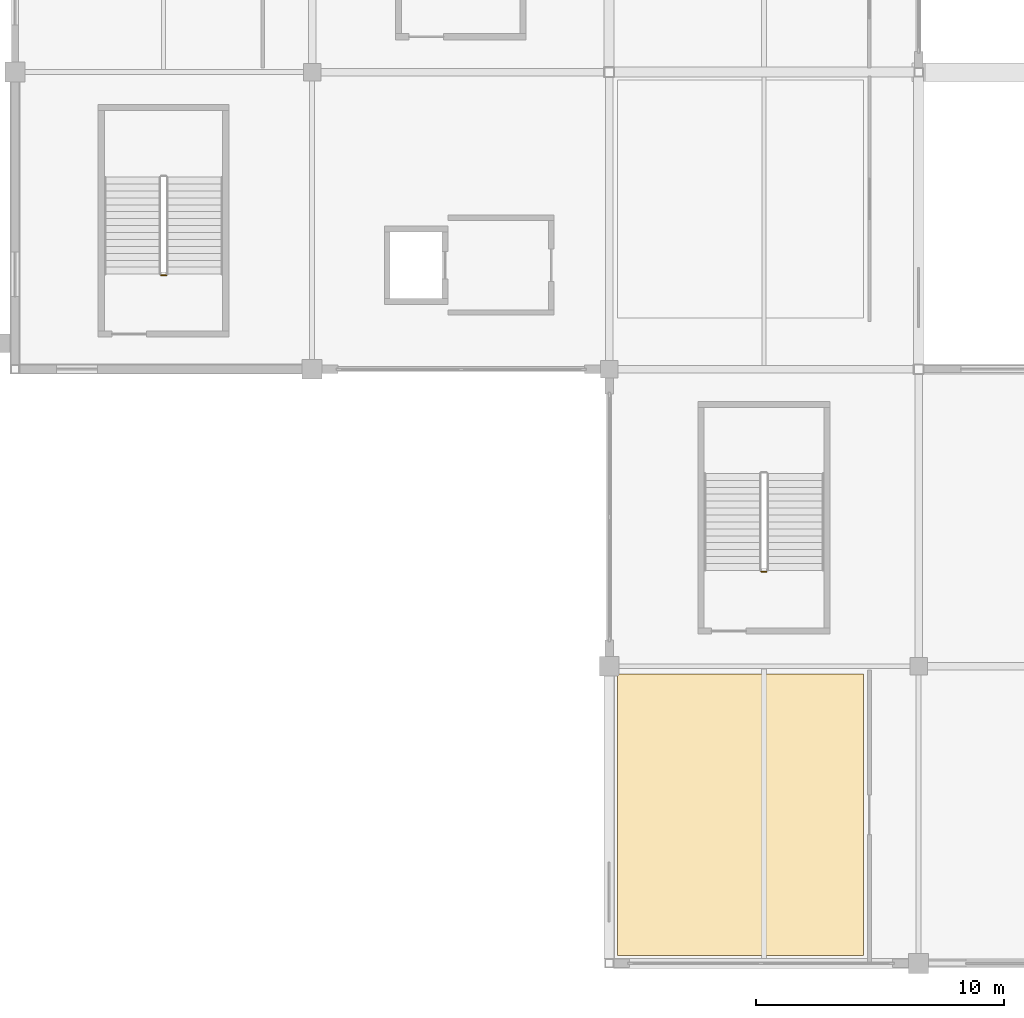
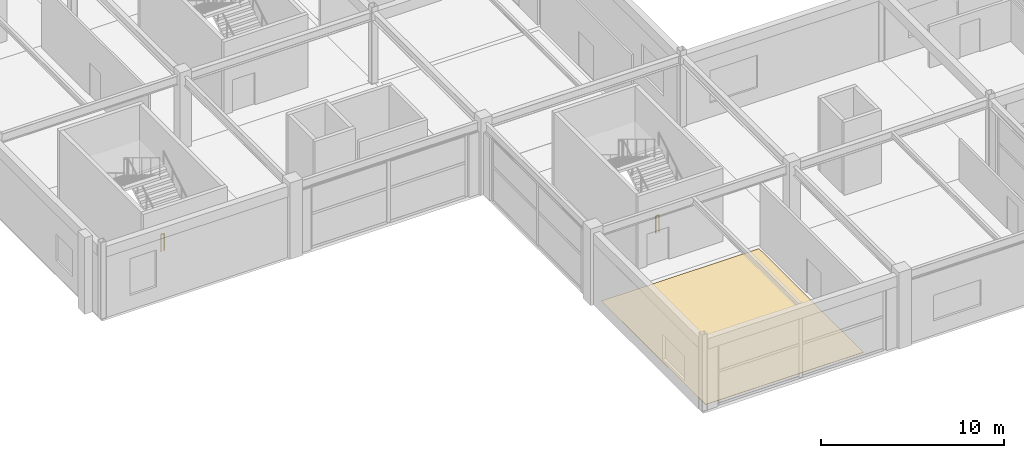
# One storey, part 103 of 128: 2 railings, 1 covering.
"""IFC4 building model written with IfcOpenShell, lengths in metres."""

from ifc_helpers import new_model, si_unit, direction, frame, origin, origin_2d, place, context, subcontext, project, spatial, polyline, circle, outline, extrude, material, layer, layer_set, type_object, element, save


model = new_model("IFC4")

# Units and contexts
model_context = context("Model", 3, precision=1e-05, world=origin(), true_north=direction((0.0, 1.0)))
body_context = subcontext(model_context, "Body", "Model", "MODEL_VIEW")
ifc_project = project(units=[si_unit("LENGTHUNIT", "METRE"), si_unit("AREAUNIT", "SQUARE_METRE"), si_unit("VOLUMEUNIT", "CUBIC_METRE"), si_unit("PLANEANGLEUNIT", "RADIAN"), si_unit("MASSUNIT", "GRAM", prefix="KILO")], contexts=[model_context])

# Site, building, storey
site_placement = place(None, origin())
site = spatial("IfcSite", under=ifc_project, at=site_placement, CompositionType="ELEMENT")
building_placement = place(site_placement, origin())
building = spatial("IfcBuilding", under=site, at=building_placement, Name="Kazenohara Klinker Stadium", CompositionType="ELEMENT")
storey_placement = place(building_placement, frame((0.0, 0.0, 15.300048828125)))
storey = spatial("IfcBuildingStorey", under=building, at=storey_placement, Name="L03", CompositionType="ELEMENT", Elevation=15.300048828125)

# Covering
ifc_material_1 = material(Name="Slip-resistant honed basalt terrazzo flooring", Category="masonry")
ifc_layer_1 = layer(ifc_material_1, 0.02001953125)
ifc_layer_set_1 = layer_set([ifc_layer_1], Name="Slip-resistant honed basalt terrazzo flooring")
covering_type = type_object("IfcCoveringType", Name="COV-FLR-01", PredefinedType="FLOORING", material=ifc_layer_set_1)
covering_placement = place(storey_placement, origin())
element("IfcCovering", 1, at=covering_placement, inside=storey, type_object=covering_type, Name="Interior floor finish FL01 Upper Concourse Supporter Dining Pavilion L03-0201A", PredefinedType="FLOORING", context=body_context, shape_type="SweptSolid", body=[
    extrude(outline(polyline([(24.330078125, 12.31005859375), (34.27001953125, 12.31005859375), (34.27001953125, 23.68994140625), (24.330078125, 23.68994140625), (24.330078125, 12.31005859375)])), origin(), (0.0, 0.0, 1.0), 0.02001953125),
])

# Railings
ifc_material_2 = material(Name="Painted steel stairwell guardrail", Category="steel")
ifc_layer_2 = layer(ifc_material_2, 0.06005859375)
ifc_layer_set_2 = layer_set([ifc_layer_2], Name="Painted steel stairwell guardrail")
railing_type = type_object("IfcRailingType", Name="RL-STG-1120", PredefinedType="GUARDRAIL", material=ifc_layer_set_2)
for number, where, name in (
    (2, (6.10009765625, 39.7900390625, 0.0), "L03 ST01 stair guard 4"),
    (3, (30.35009765625, 27.820068359375, 0.0), "L03 ST07 stair guard 4"),
):
    element("IfcRailing", number, at=place(storey_placement, frame(where)), inside=storey, type_object=railing_type, Name=name, PredefinedType="GUARDRAIL", context=body_context, shape_type="SweptSolid", body=[
        extrude(circle(Radius=0.02392578125, at=origin_2d()), frame((0.0, 0.0, 1.1259765625), z_axis=(-1.0, 0.0, 0.0), x_axis=(0.0, -1.0, 0.0)), (0.0, 0.0, 1.0), 0.2001953125),
        extrude(circle(Radius=0.02099609375, at=origin_2d()), origin(), (0.0, 0.0, 1.0), 1.101806640625),
        extrude(circle(Radius=0.02099609375, at=origin_2d()), frame((-0.2001953125, 0.0, 0.0)), (0.0, 0.0, 1.0), 1.101806640625),
    ])

save(model, "model.ifc")
